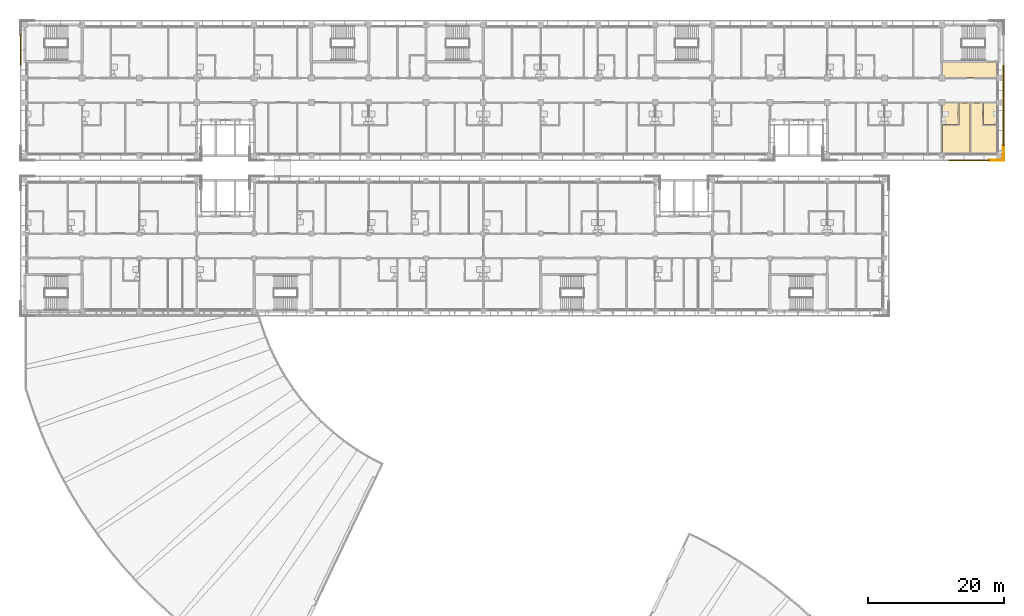
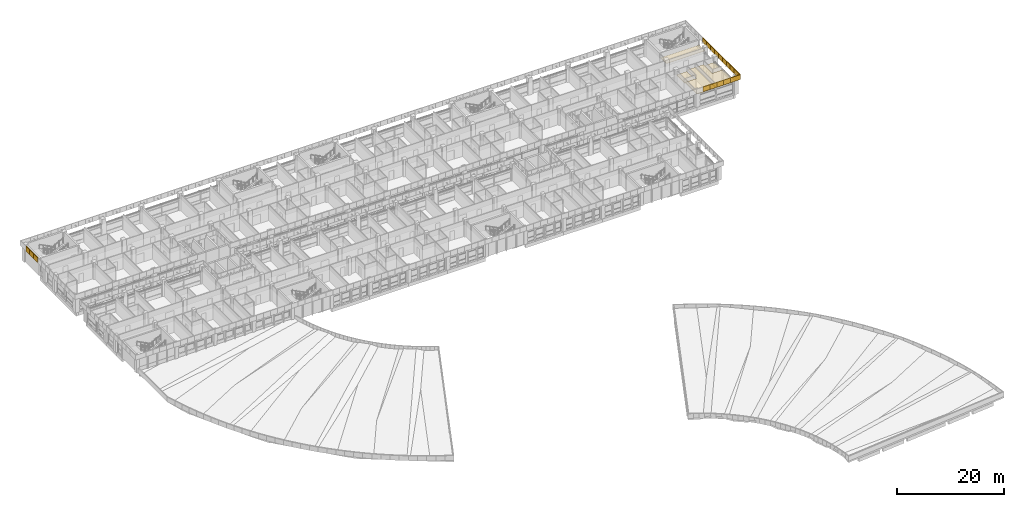
# One storey, part 70 of 74: 22 coverings.
"""IFC4 building model written with IfcOpenShell, lengths in metres."""

from ifc_helpers import new_model, si_unit, direction, frame, origin, place, context, subcontext, project, spatial, polyline, outline, extrude, material, layer, layer_set, type_object, element, save


model = new_model("IFC4")

# Units and contexts
model_context = context("Model", 3, precision=1e-05, world=origin(), true_north=direction((0.0, 1.0)))
body_context = subcontext(model_context, "Body", "Model", "MODEL_VIEW")
ifc_project = project(units=[si_unit("LENGTHUNIT", "METRE"), si_unit("AREAUNIT", "SQUARE_METRE"), si_unit("VOLUMEUNIT", "CUBIC_METRE"), si_unit("PLANEANGLEUNIT", "RADIAN"), si_unit("MASSUNIT", "GRAM", prefix="KILO")], contexts=[model_context])

# Site, building, storey
site_placement = place(None, origin())
site = spatial("IfcSite", under=ifc_project, at=site_placement, CompositionType="ELEMENT")
building_placement = place(site_placement, origin())
building = spatial("IfcBuilding", under=site, at=building_placement, Name="Bougainvillea Quay General Hospital", CompositionType="ELEMENT")
storey_placement = place(building_placement, frame((0.0, 0.0, 21.0)))
storey = spatial("IfcBuildingStorey", under=building, at=storey_placement, Name="L04", CompositionType="ELEMENT", Elevation=21.0)

# Coverings
ifc_material_1 = material(Name="Powder-coated aluminium fascia, white", Category="aluminium")
ifc_layer_1 = layer(ifc_material_1, 0.14990234375)
ifc_layer_set_1 = layer_set([ifc_layer_1], Name="Powder-coated aluminium fascia, white")
covering_type_1 = type_object("IfcCoveringType", Name="Aluminium fascia band white 150x1100", PredefinedType="CLADDING", material=ifc_layer_set_1)
covering_1_placement = place(storey_placement, frame((41.449951171875, 158.123046875, 3.35009765625), z_axis=(0.0, 0.0, 1.0), x_axis=(0.0, -1.0, 0.0)))
element("IfcCovering", 1, at=covering_1_placement, inside=storey, type_object=covering_type_1, Name="Fascia band white e0 98", PredefinedType="CLADDING", context=body_context, shape_type="SweptSolid", body=[
    extrude(outline(polyline([(0.0, 0.0), (1.476806640625, 0.0), (1.476806640625, -0.14990234375), (0.0, -0.14990234375), (0.0, 0.0)])), origin(), (0.0, 0.0, 1.0), 1.10009765625),
])
covering_2_placement = place(storey_placement, frame((41.449951171875, 156.646240234375, 3.35009765625), z_axis=(0.0, 0.0, 1.0), x_axis=(0.0, -1.0, 0.0)))
element("IfcCovering", 2, at=covering_2_placement, inside=storey, type_object=covering_type_1, Name="Fascia band white e0 99", PredefinedType="CLADDING", context=body_context, shape_type="SweptSolid", body=[
    extrude(outline(polyline([(0.0, 0.0), (1.47705078125, 0.0), (1.47705078125, -0.14990234375), (0.0, -0.14990234375), (0.0, 0.0)])), origin(), (0.0, 0.0, 1.0), 1.10009765625),
])
covering_3_placement = place(storey_placement, frame((41.449951171875, 155.169189453125, 3.35009765625), z_axis=(0.0, 0.0, 1.0), x_axis=(0.0, -1.0, 0.0)))
element("IfcCovering", 3, at=covering_3_placement, inside=storey, type_object=covering_type_1, Name="Fascia band white e0 100", PredefinedType="CLADDING", context=body_context, shape_type="SweptSolid", body=[
    extrude(outline(polyline([(0.0, 0.0), (1.476806640625, 0.0), (1.476806640625, -0.14990234375), (0.0, -0.14990234375), (0.0, 0.0)])), origin(), (0.0, 0.0, 1.0), 1.10009765625),
])
for number, where, z_axis, x_axis, name in (
    (4, (177.38818359375, 139.85009765625, 3.35009765625), (0.0, 0.0, 1.0), (1.0, 0.0, 0.0), "Fascia band white e0 218"),
    (5, (178.87060546875, 139.85009765625, 3.35009765625), (0.0, 0.0, 1.0), (1.0, 0.0, 0.0), "Fascia band white e0 219"),
):
    element("IfcCovering", number, at=place(storey_placement, frame(where, z_axis=z_axis, x_axis=x_axis)), inside=storey, type_object=covering_type_1, Name=name, PredefinedType="CLADDING", context=body_context, shape_type="SweptSolid", body=[
        extrude(outline(polyline([(0.0, 0.0), (1.482421875, 0.0), (1.482421875, -0.150146484375), (0.0, -0.150146484375), (0.0, 0.0)])), origin(), (0.0, 0.0, 1.0), 1.10009765625),
    ])
covering_4_placement = place(storey_placement, frame((180.35302734375, 139.85009765625, 3.35009765625), z_axis=(0.0, 0.0, 1.0), x_axis=(1.0, 0.0, 0.0)))
element("IfcCovering", 6, at=covering_4_placement, inside=storey, type_object=covering_type_1, Name="Fascia band white e0 220", PredefinedType="CLADDING", context=body_context, shape_type="SweptSolid", body=[
    extrude(outline(polyline([(0.0, 0.0), (1.482177734375, 0.0), (1.482177734375, -0.150146484375), (0.0, -0.150146484375), (0.0, 0.0)])), origin(), (0.0, 0.0, 1.0), 1.10009765625),
])
covering_5_placement = place(storey_placement, frame((181.835205078125, 139.85009765625, 3.35009765625), z_axis=(0.0, 0.0, 1.0), x_axis=(1.0, 0.0, 0.0)))
element("IfcCovering", 7, at=covering_5_placement, inside=storey, type_object=covering_type_1, Name="Fascia band white e0 221", PredefinedType="CLADDING", context=body_context, shape_type="SweptSolid", body=[
    extrude(outline(polyline([(0.0, 0.0), (1.482421875, 0.0), (1.482421875, -0.150146484375), (0.0, -0.150146484375), (0.0, 0.0)])), origin(), (0.0, 0.0, 1.0), 1.10009765625),
])
covering_6_placement = place(storey_placement, frame((183.317626953125, 139.85009765625, 3.35009765625), z_axis=(0.0, 0.0, 1.0), x_axis=(1.0, 0.0, 0.0)))
element("IfcCovering", 8, at=covering_6_placement, inside=storey, type_object=covering_type_1, Name="Fascia band white e0 222", PredefinedType="CLADDING", context=body_context, shape_type="SweptSolid", body=[
    extrude(outline(polyline([(0.0, 0.0), (2.032470703125, 0.0), (2.182373046875, -0.150146484375), (0.0, -0.150146484375), (0.0, 0.0)])), origin(), (0.0, 0.0, 1.0), 1.10009765625),
])
covering_7_placement = place(storey_placement, frame((185.35009765625, 139.85009765625, 3.35009765625), z_axis=(0.0, 0.0, 1.0), x_axis=(0.0, 1.0, 0.0)))
element("IfcCovering", 9, at=covering_7_placement, inside=storey, type_object=covering_type_1, Name="Fascia band white e0 223", PredefinedType="CLADDING", context=body_context, shape_type="SweptSolid", body=[
    extrude(outline(polyline([(0.0, 0.0), (2.02685546875, 0.0), (2.02685546875, -0.14990234375), (-0.150146484375, -0.14990234375), (0.0, 0.0)])), origin(), (0.0, 0.0, 1.0), 1.10009765625),
])
covering_8_placement = place(storey_placement, frame((185.35009765625, 141.876953125, 3.35009765625), z_axis=(0.0, 0.0, 1.0), x_axis=(0.0, 1.0, 0.0)))
element("IfcCovering", 10, at=covering_8_placement, inside=storey, type_object=covering_type_1, Name="Fascia band white e0 224", PredefinedType="CLADDING", context=body_context, shape_type="SweptSolid", body=[
    extrude(outline(polyline([(0.0, 0.0), (1.476806640625, 0.0), (1.476806640625, -0.14990234375), (0.0, -0.14990234375), (0.0, 0.0)])), origin(), (0.0, 0.0, 1.0), 1.10009765625),
])
covering_9_placement = place(storey_placement, frame((185.35009765625, 143.353759765625, 3.35009765625), z_axis=(0.0, 0.0, 1.0), x_axis=(0.0, 1.0, 0.0)))
element("IfcCovering", 11, at=covering_9_placement, inside=storey, type_object=covering_type_1, Name="Fascia band white e0 225", PredefinedType="CLADDING", context=body_context, shape_type="SweptSolid", body=[
    extrude(outline(polyline([(0.0, 0.0), (1.47705078125, 0.0), (1.47705078125, -0.14990234375), (0.0, -0.14990234375), (0.0, 0.0)])), origin(), (0.0, 0.0, 1.0), 1.10009765625),
])
covering_10_placement = place(storey_placement, frame((185.35009765625, 144.830810546875, 3.35009765625), z_axis=(0.0, 0.0, 1.0), x_axis=(0.0, 1.0, 0.0)))
element("IfcCovering", 12, at=covering_10_placement, inside=storey, type_object=covering_type_1, Name="Fascia band white e0 226", PredefinedType="CLADDING", context=body_context, shape_type="SweptSolid", body=[
    extrude(outline(polyline([(0.0, 0.0), (1.476806640625, 0.0), (1.476806640625, -0.14990234375), (0.0, -0.14990234375), (0.0, 0.0)])), origin(), (0.0, 0.0, 1.0), 1.10009765625),
])
covering_11_placement = place(storey_placement, frame((185.35009765625, 146.3076171875, 3.35009765625), z_axis=(0.0, 0.0, 1.0), x_axis=(0.0, 1.0, 0.0)))
element("IfcCovering", 13, at=covering_11_placement, inside=storey, type_object=covering_type_1, Name="Fascia band white e0 227", PredefinedType="CLADDING", context=body_context, shape_type="SweptSolid", body=[
    extrude(outline(polyline([(0.0, 0.0), (1.47705078125, 0.0), (1.47705078125, -0.14990234375), (0.0, -0.14990234375), (0.0, 0.0)])), origin(), (0.0, 0.0, 1.0), 1.10009765625),
])
covering_12_placement = place(storey_placement, frame((185.35009765625, 147.78466796875, 3.35009765625), z_axis=(0.0, 0.0, 1.0), x_axis=(0.0, 1.0, 0.0)))
element("IfcCovering", 14, at=covering_12_placement, inside=storey, type_object=covering_type_1, Name="Fascia band white e0 228", PredefinedType="CLADDING", context=body_context, shape_type="SweptSolid", body=[
    extrude(outline(polyline([(0.0, 0.0), (1.476806640625, 0.0), (1.476806640625, -0.14990234375), (0.0, -0.14990234375), (0.0, 0.0)])), origin(), (0.0, 0.0, 1.0), 1.10009765625),
])
covering_13_placement = place(storey_placement, frame((185.35009765625, 149.261474609375, 3.35009765625), z_axis=(0.0, 0.0, 1.0), x_axis=(0.0, 1.0, 0.0)))
element("IfcCovering", 15, at=covering_13_placement, inside=storey, type_object=covering_type_1, Name="Fascia band white e0 229", PredefinedType="CLADDING", context=body_context, shape_type="SweptSolid", body=[
    extrude(outline(polyline([(0.0, 0.0), (1.47705078125, 0.0), (1.47705078125, -0.14990234375), (0.0, -0.14990234375), (0.0, 0.0)])), origin(), (0.0, 0.0, 1.0), 1.10009765625),
])
covering_14_placement = place(storey_placement, frame((185.35009765625, 150.738525390625, 3.35009765625), z_axis=(0.0, 0.0, 1.0), x_axis=(0.0, 1.0, 0.0)))
element("IfcCovering", 16, at=covering_14_placement, inside=storey, type_object=covering_type_1, Name="Fascia band white e0 230", PredefinedType="CLADDING", context=body_context, shape_type="SweptSolid", body=[
    extrude(outline(polyline([(0.0, 0.0), (1.476806640625, 0.0), (1.476806640625, -0.14990234375), (0.0, -0.14990234375), (0.0, 0.0)])), origin(), (0.0, 0.0, 1.0), 1.10009765625),
])
covering_15_placement = place(storey_placement, frame((185.35009765625, 152.21533203125, 3.35009765625), z_axis=(0.0, 0.0, 1.0), x_axis=(0.0, 1.0, 0.0)))
element("IfcCovering", 17, at=covering_15_placement, inside=storey, type_object=covering_type_1, Name="Fascia band white e0 231", PredefinedType="CLADDING", context=body_context, shape_type="SweptSolid", body=[
    extrude(outline(polyline([(0.0, 0.0), (1.47705078125, 0.0), (1.47705078125, -0.14990234375), (0.0, -0.14990234375), (0.0, 0.0)])), origin(), (0.0, 0.0, 1.0), 1.10009765625),
])
ifc_material_2 = material(Name="Mineral fibre ceiling tile")
ifc_layer_2 = layer(ifc_material_2, 0.030029296875)
ifc_layer_set_2 = layer_set([ifc_layer_2], Name="Mineral fibre ceiling tile")
covering_type_2 = type_object("IfcCoveringType", Name="Suspended ceiling mineral fibre tile", PredefinedType="CEILING", material=ifc_layer_set_2)
covering_16_placement = place(storey_placement, frame((0.0, 0.0, 2.699951171875)))
element("IfcCovering", 18, at=covering_16_placement, inside=storey, type_object=covering_type_2, Name="Ceiling Smoke-proof Vestibule ST-A4", PredefinedType="CEILING", context=body_context, shape_type="SweptSolid", body=[
    extrude(outline(polyline([(184.800048828125, 154.10009765625), (176.5, 154.10009765625), (176.5, 151.89990234375), (184.800048828125, 151.89990234375), (184.800048828125, 154.10009765625)])), origin(), (0.0, 0.0, 1.0), 0.030029296875),
])
covering_17_placement = place(storey_placement, frame((0.0, 0.0, 2.699951171875)))
element("IfcCovering", 19, at=covering_17_placement, inside=storey, type_object=covering_type_2, Name="Ceiling Post-operative Patient Room 04A37", PredefinedType="CEILING", context=body_context, shape_type="SweptSolid", body=[
    extrude(outline(polyline([(180.52490234375, 140.39990234375), (180.52490234375, 148.125), (178.875, 148.125), (178.875, 144.824951171875), (176.47509765625, 144.824951171875), (176.47509765625, 140.39990234375), (180.52490234375, 140.39990234375)])), origin(), (0.0, 0.0, 1.0), 0.030029296875),
])
covering_18_placement = place(storey_placement, frame((0.0, 0.0, 2.39990234375)))
element("IfcCovering", 20, at=covering_18_placement, inside=storey, type_object=covering_type_2, Name="Ceiling En-suite 04A37", PredefinedType="CEILING", context=body_context, shape_type="SweptSolid", body=[
    extrude(outline(polyline([(178.72509765625, 148.125), (176.449951171875, 148.125), (176.449951171875, 144.97509765625), (178.72509765625, 144.97509765625), (178.72509765625, 148.125)])), origin(), (0.0, 0.0, 1.0), 0.030029296875),
])
covering_19_placement = place(storey_placement, frame((0.0, 0.0, 2.699951171875)))
element("IfcCovering", 21, at=covering_19_placement, inside=storey, type_object=covering_type_2, Name="Ceiling Post-operative Patient Room 04A38", PredefinedType="CEILING", context=body_context, shape_type="SweptSolid", body=[
    extrude(outline(polyline([(184.800048828125, 140.39990234375), (184.800048828125, 144.824951171875), (182.324951171875, 144.824951171875), (182.324951171875, 148.125), (180.675048828125, 148.125), (180.675048828125, 140.39990234375), (184.800048828125, 140.39990234375)])), origin(), (0.0, 0.0, 1.0), 0.030029296875),
])
covering_20_placement = place(storey_placement, frame((0.0, 0.0, 2.39990234375)))
element("IfcCovering", 22, at=covering_20_placement, inside=storey, type_object=covering_type_2, Name="Ceiling En-suite 04A38", PredefinedType="CEILING", context=body_context, shape_type="SweptSolid", body=[
    extrude(outline(polyline([(184.800048828125, 148.125), (182.47509765625, 148.125), (182.47509765625, 144.97509765625), (184.800048828125, 144.97509765625), (184.800048828125, 148.125)])), origin(), (0.0, 0.0, 1.0), 0.030029296875),
])

save(model, "model.ifc")
